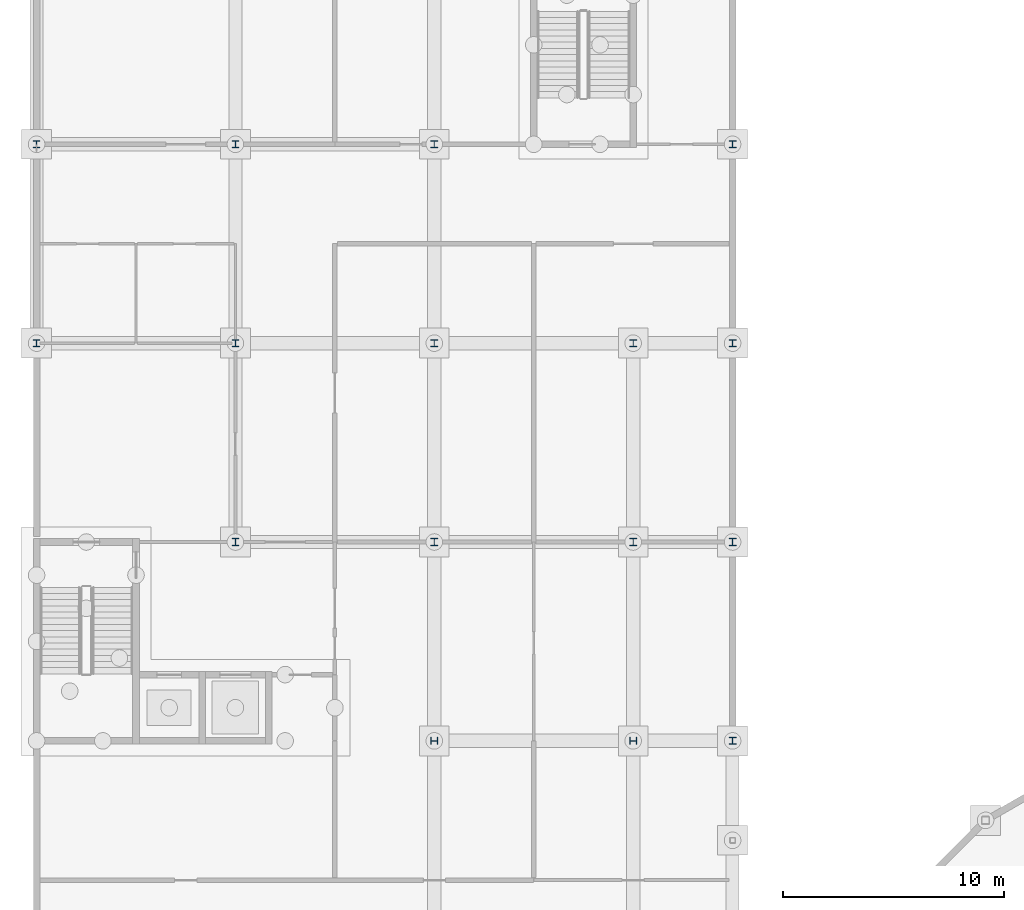
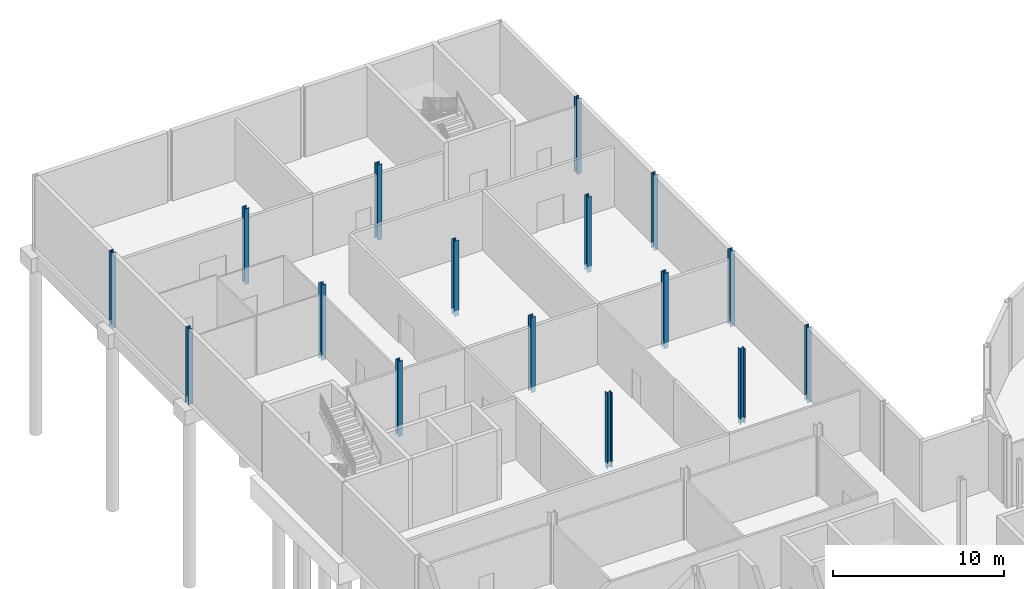
# One storey, part 9 of 25: 16 columns.
"""IFC4 building model written with IfcOpenShell, lengths in metres."""

from ifc_helpers import new_model, si_unit, direction, frame, origin, origin_2d, place, context, subcontext, project, spatial, i_section, extrude, material, material_profile, profile_set, type_object, element, save


model = new_model("IFC4")

# Units and contexts
model_context = context("Model", 3, precision=1e-05, world=origin(), true_north=direction((0.0, 1.0)))
body_context = subcontext(model_context, "Body", "Model", "MODEL_VIEW")
ifc_project = project(units=[si_unit("LENGTHUNIT", "METRE"), si_unit("AREAUNIT", "SQUARE_METRE"), si_unit("VOLUMEUNIT", "CUBIC_METRE"), si_unit("PLANEANGLEUNIT", "RADIAN"), si_unit("MASSUNIT", "GRAM", prefix="KILO")], contexts=[model_context])

# Site, building, storey
site_placement = place(None, origin())
site = spatial("IfcSite", under=ifc_project, at=site_placement, CompositionType="ELEMENT")
building_placement = place(site_placement, origin())
building = spatial("IfcBuilding", under=site, at=building_placement, Name="Hortulan Conservatory and Botanical Research Centre", CompositionType="ELEMENT")
storey_placement = place(building_placement, frame((0.0, 0.0, -5.0)))
storey = spatial("IfcBuildingStorey", under=building, at=storey_placement, Name="B1", CompositionType="ELEMENT", Elevation=-5.0)

# Columns
ifc_material = material(Name="Steel Grade 300PLUS (AS/NZS 3679.1, 280 MPa minimum yield)", Category="steel")
ifc_material_profile = material_profile(ifc_material, i_section(OverallWidth=0.30908203125, OverallDepth=0.321044921875, WebThickness=0.013916015625, FlangeThickness=0.021728515625, FilletRadius=0.0166015625, at=origin_2d()), Name="310UC137")
ifc_profile_set = profile_set([ifc_material_profile], Name="Steel Grade 300PLUS (AS/NZS 3679.1, 280 MPa minimum yield)")
column_type = type_object("IfcColumnType", Name="Visitor Centre Column 310UC137", PredefinedType="COLUMN", material=ifc_profile_set)
for number, where, z_axis, x_axis, name in (
    (1, (0.0, 54.0, -0.39990234375), (0.0, 0.0, 1.0), (1.0, 0.0, 0.0), "310UC137 column"),
    (2, (0.0, 63.0, -0.39990234375), (0.0, 0.0, 1.0), (1.0, 0.0, 0.0), "310UC137 column"),
    (3, (9.0, 45.0, -0.39990234375), (0.0, 0.0, 1.0), (1.0, 0.0, 0.0), "310UC137 column"),
    (4, (9.0, 54.0, -0.39990234375), (0.0, 0.0, 1.0), (1.0, 0.0, 0.0), "310UC137 column"),
    (5, (9.0, 63.0, -0.39990234375), (0.0, 0.0, 1.0), (1.0, 0.0, 0.0), "310UC137 column"),
    (6, (18.0, 36.0, -0.39990234375), (0.0, 0.0, 1.0), (0.0, 1.0, 0.0), "310UC137 column"),
    (7, (18.0, 45.0, -0.39990234375), (0.0, 0.0, 1.0), (1.0, 0.0, 0.0), "310UC137 column"),
    (8, (18.0, 54.0, -0.39990234375), (0.0, 0.0, 1.0), (1.0, 0.0, 0.0), "310UC137 column"),
    (9, (18.0, 63.0, -0.39990234375), (0.0, 0.0, 1.0), (1.0, 0.0, 0.0), "310UC137 column"),
    (10, (27.0, 36.0, -0.39990234375), (0.0, 0.0, 1.0), (0.0, 1.0, 0.0), "310UC137 column"),
    (11, (27.0, 45.0, -0.39990234375), (0.0, 0.0, 1.0), (1.0, 0.0, 0.0), "310UC137 column"),
    (12, (27.0, 54.0, -0.39990234375), (0.0, 0.0, 1.0), (1.0, 0.0, 0.0), "310UC137 column"),
    (13, (31.5, 36.0, -0.39990234375), (0.0, 0.0, 1.0), (1.0, 0.0, 0.0), "310UC137 column"),
    (14, (31.5, 45.0, -0.39990234375), (0.0, 0.0, 1.0), (1.0, 0.0, 0.0), "310UC137 column"),
    (15, (31.5, 54.0, -0.39990234375), (0.0, 0.0, 1.0), (1.0, 0.0, 0.0), "310UC137 column"),
    (16, (31.5, 63.0, -0.39990234375), (0.0, 0.0, 1.0), (1.0, 0.0, 0.0), "310UC137 column"),
):
    element("IfcColumn", number, at=place(storey_placement, frame(where, z_axis=z_axis, x_axis=x_axis)), inside=storey, type_object=column_type, Name=name, PredefinedType="COLUMN", context=body_context, shape_type="SweptSolid", body=[
        extrude(i_section(OverallWidth=0.30908203125, OverallDepth=0.321044921875, WebThickness=0.013916015625, FlangeThickness=0.021728515625, FilletRadius=0.0166015625, at=origin_2d()), origin(), (0.0, 0.0, 1.0), 5.39990234375),
    ])

save(model, "model.ifc")
